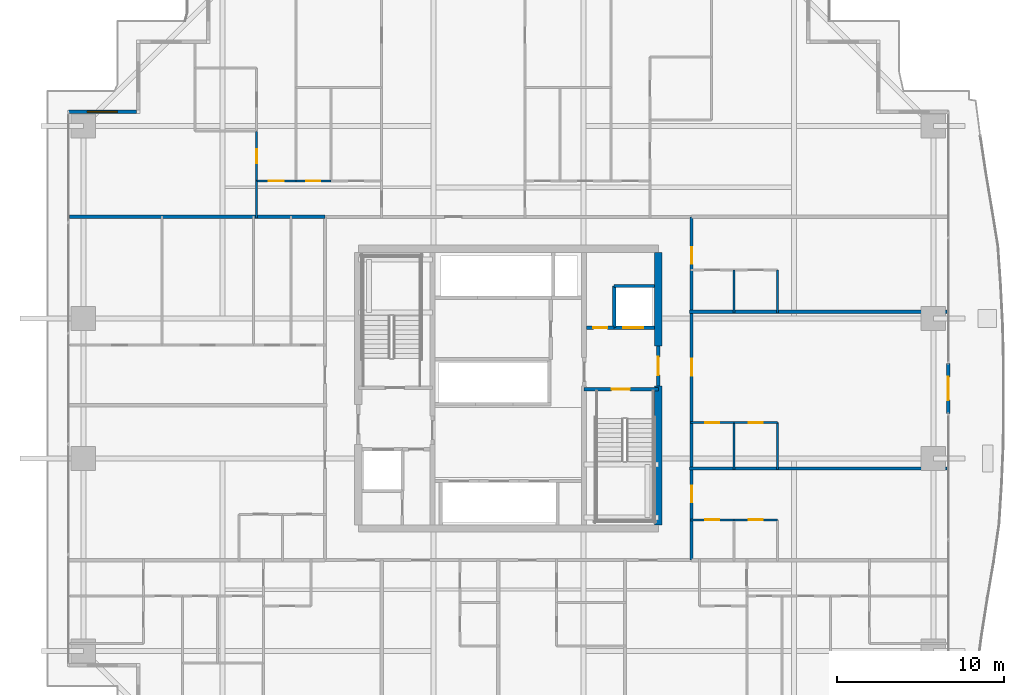
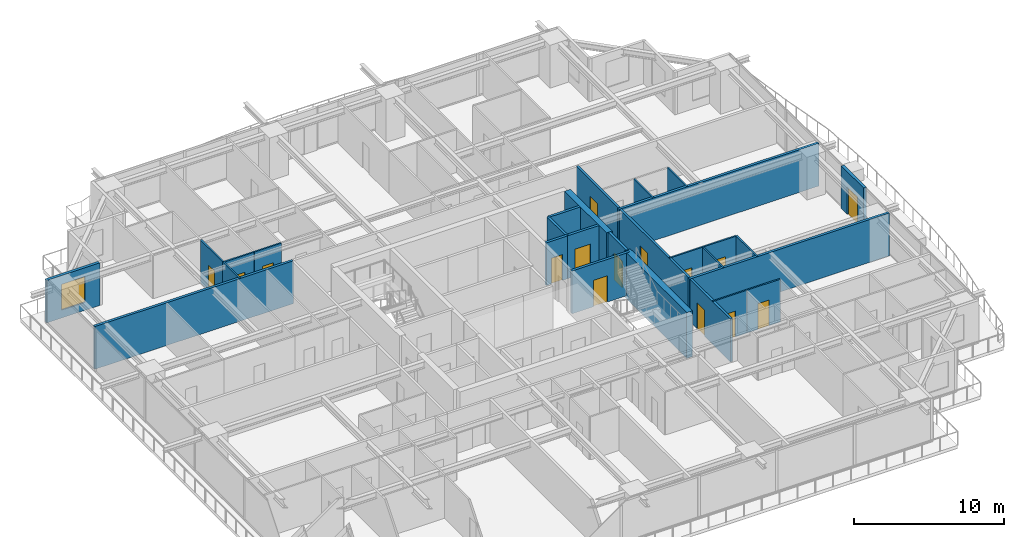
# One storey, part 30 of 38: 26 walls, 15 doors, 1 window, 16 openings.
"""IFC4 building model written with IfcOpenShell, lengths in metres."""

from ifc_helpers import new_model, si_unit, direction, frame, frame_2d, origin, place, context, subcontext, project, spatial, rectangle, extrude, source, transform, mapped, material, layer, layer_set, type_object, element, fill, save


model = new_model("IFC4")

# Units and contexts
model_context = context("Model", 3, precision=1e-05, world=origin(), true_north=direction((0.0, 1.0)))
body_context = subcontext(model_context, "Body", "Model", "MODEL_VIEW")
ifc_project = project(units=[si_unit("LENGTHUNIT", "METRE"), si_unit("AREAUNIT", "SQUARE_METRE"), si_unit("VOLUMEUNIT", "CUBIC_METRE"), si_unit("PLANEANGLEUNIT", "RADIAN"), si_unit("MASSUNIT", "GRAM", prefix="KILO")], contexts=[model_context])

# Site, building, storey
site_placement = place(None, origin())
site = spatial("IfcSite", under=ifc_project, at=site_placement, CompositionType="ELEMENT")
building_placement = place(site_placement, origin())
building = spatial("IfcBuilding", under=site, at=building_placement, Name="Serunith Strait Residences", CompositionType="ELEMENT")
storey_placement = place(building_placement, frame((0.0, 0.0, 67.949951171875)))
storey = spatial("IfcBuildingStorey", under=building, at=storey_placement, Name="L16", CompositionType="ELEMENT", Elevation=67.949951171875)

# Wall, opening, door
ifc_material_1 = material(Name="Pale-Champagne Aluminium Insulated Panel", Category="aluminium")
ifc_layer_1 = layer(ifc_material_1, 0.219970703125, Name="Pale-Champagne Aluminium Insulated Panel")
ifc_layer_set_1 = layer_set([ifc_layer_1], Name="Pale-Champagne Aluminium Insulated Panel")
wall_type_1 = type_object("IfcWallType", Name="EW-ALUM-220", PredefinedType="ELEMENTEDWALL", material=ifc_layer_set_1)
wall_1_placement = place(storey_placement, frame((58.800048828125, 23.699951171875, 0.0), z_axis=(0.0, 0.0, 1.0), x_axis=(0.0, 1.0, 0.0)))
wall_1 = element("IfcWall", 1, at=wall_1_placement, inside=storey, type_object=wall_type_1, Name="L16 E Facade Pier Wall", PredefinedType="ELEMENTEDWALL", context=body_context, shape_type="SweptSolid", body=[
    extrude(rectangle(XDim=3.0, YDim=0.219970703125, at=frame_2d((1.5, 0.0))), origin(), (0.0, 0.0, 1.0), 3.47509765625),
])
opening_1_placement = place(wall_1_placement, frame((0.800048828125, 0.0, 0.0)))
opening_1 = element("IfcOpeningElement", 2, at=opening_1_placement, cuts=wall_1, Name="Opening ED-04", PredefinedType="OPENING", context=body_context, shape_type="SweptSolid", body=[
    extrude(rectangle(XDim=1.39990234375, YDim=2.25, at=frame_2d((0.699951171875, 1.125))), frame((0.0, 0.1201171875, 0.0), z_axis=(0.0, -1.0, 0.0), x_axis=(1.0, 0.0, 0.0)), (0.0, 0.0, 1.0), 0.239990234375),
])
ifc_material_2 = material(Name="Thermally-Broken Aluminium Sliding Balcony Door", Category="aluminium")
door_type_1 = type_object("IfcDoorType", Name="ED-BALC-1400", OperationType="NOTDEFINED", PredefinedType="DOOR", material=ifc_material_2)
shared_shape_1 = source(origin(), body_context, "Body", "SweptSolid", [
    extrude(rectangle(XDim=1.39990234375, YDim=2.25, at=frame_2d((0.699951171875, 1.125))), frame((0.0, 0.02490234375, 0.0), z_axis=(0.0, -1.0, 0.0), x_axis=(1.0, 0.0, 0.0)), (0.0, 0.0, 1.0), 0.050048828125),
])
door_1_placement = place(opening_1_placement, origin())
door_1 = element("IfcDoor", 3, at=door_1_placement, inside=storey, type_object=door_type_1, Name="L16 E Vertical-Forest Balcony Door", OperationType="SLIDING_TO_LEFT", OverallHeight=2.25, OverallWidth=1.39990234375, PredefinedType="DOOR", context=body_context, shape_type="MappedRepresentation", body=[
    mapped(shared_shape_1, transform((0.0, 0.0, 0.0), scale=1.0)),
])
fill(opening_1, door_1)

# Wall, opening, window
wall_2_placement = place(storey_placement, frame((10.090087890625, 41.800048828125, 0.0), z_axis=(0.0, 0.0, 1.0), x_axis=(-1.0, 0.0, 0.0)))
wall_2 = element("IfcWall", 4, at=wall_2_placement, inside=storey, type_object=wall_type_1, Name="L16 Girih Serrated Corner Wall 15", PredefinedType="ELEMENTEDWALL", context=body_context, shape_type="SweptSolid", body=[
    extrude(rectangle(XDim=4.090087890625, YDim=0.219970703125, at=frame_2d((2.044921875, 0.0))), origin(), (0.0, 0.0, 1.0), 3.47509765625),
])
opening_2_placement = place(wall_2_placement, frame((1.14501953125, 0.0, 0.64990234375)))
opening_2 = element("IfcOpeningElement", 5, at=opening_2_placement, cuts=wall_2, Name="Opening W-01", PredefinedType="OPENING", context=body_context, shape_type="SweptSolid", body=[
    extrude(rectangle(XDim=1.800048828125, YDim=2.10009765625, at=frame_2d((0.89990234375, 1.050048828125))), frame((0.0, 0.1201171875, 0.0), z_axis=(0.0, -1.0, 0.0), x_axis=(1.0, 0.0, 0.0)), (0.0, 0.0, 1.0), 0.239990234375),
])
ifc_material_3 = material(Name="Ceramic-Fritted Operable Aluminium Window Glass", Category="aluminium")
window_type = type_object("IfcWindowType", Name="WIN-C1", PartitioningType="DOUBLE_PANEL_VERTICAL", PredefinedType="WINDOW", material=ifc_material_3)
shared_shape_2 = source(origin(), body_context, "Body", "SweptSolid", [
    extrude(rectangle(XDim=1.800048828125, YDim=2.10009765625, at=frame_2d((0.89990234375, 1.050048828125))), frame((0.0, 0.030029296875, 0.0), z_axis=(0.0, -1.0, 0.0), x_axis=(1.0, 0.0, 0.0)), (0.0, 0.0, 1.0), 0.06005859375),
])
window_placement = place(opening_2_placement, origin())
window = element("IfcWindow", 6, at=window_placement, inside=storey, type_object=window_type, Name="L16 Corner Operable Fritted Window 15", OverallHeight=2.10009765625, OverallWidth=1.800048828125, PartitioningType="SINGLE_PANEL", PredefinedType="WINDOW", context=body_context, shape_type="MappedRepresentation", body=[
    mapped(shared_shape_2, transform((0.0, 0.0, 0.0), scale=1.0)),
])
fill(opening_2, window)

# Wall, openings, doors
ifc_material_4 = material(Name="Fire-rated acoustic gypsum partition")
ifc_layer_2 = layer(ifc_material_4, 0.179931640625, Name="Fire-rated acoustic gypsum partition")
ifc_layer_set_2 = layer_set([ifc_layer_2], Name="Fire-rated acoustic gypsum partition")
wall_type_2 = type_object("IfcWallType", Name="IW-CORR-180", PredefinedType="PARTITIONING", material=ifc_layer_set_2)
wall_3_placement = place(storey_placement, frame((43.39990234375, 14.89990234375, 0.0), z_axis=(0.0, 0.0, 1.0), x_axis=(0.0, 1.0, 0.0)))
wall_3 = element("IfcWall", 7, at=wall_3_placement, inside=storey, type_object=wall_type_2, Name="L16 Partition Wall 027", PredefinedType="PARTITIONING", context=body_context, shape_type="SweptSolid", body=[
    extrude(rectangle(XDim=20.60009765625, YDim=0.179931640625, at=frame_2d((10.300048828125, 0.0))), origin(), (0.0, 0.0, 1.0), 3.489990234375),
])
opening_3_placement = place(wall_3_placement, frame((3.468994140625, 0.0, 0.0)))
opening_3 = element("IfcOpeningElement", 8, at=opening_3_placement, cuts=wall_3, Name="Opening D-APT1000", PredefinedType="OPENING", context=body_context, shape_type="SweptSolid", body=[
    extrude(rectangle(XDim=1.0, YDim=2.14990234375, at=frame_2d((0.5, 1.074951171875))), frame((0.0, 0.10009765625, 0.0), z_axis=(0.0, -1.0, 0.0), x_axis=(1.0, 0.0, 0.0)), (0.0, 0.0, 1.0), 0.199951171875),
])
opening_4_placement = place(wall_3_placement, frame((11.073974609375, 0.0, 0.0)))
opening_4 = element("IfcOpeningElement", 9, at=opening_4_placement, cuts=wall_3, Name="Opening D-APT1000", PredefinedType="OPENING", context=body_context, shape_type="SweptSolid", body=[
    extrude(rectangle(XDim=1.0, YDim=2.14990234375, at=frame_2d((0.5, 1.074951171875))), frame((0.0, 0.10009765625, 0.0), z_axis=(0.0, -1.0, 0.0), x_axis=(1.0, 0.0, 0.0)), (0.0, 0.0, 1.0), 0.199951171875),
])
opening_5_placement = place(wall_3_placement, frame((17.780029296875, 0.0, 0.0)))
opening_5 = element("IfcOpeningElement", 10, at=opening_5_placement, cuts=wall_3, Name="Opening D-APT1000", PredefinedType="OPENING", context=body_context, shape_type="SweptSolid", body=[
    extrude(rectangle(XDim=1.0, YDim=2.14990234375, at=frame_2d((0.5, 1.074951171875))), frame((0.0, 0.10009765625, 0.0), z_axis=(0.0, -1.0, 0.0), x_axis=(1.0, 0.0, 0.0)), (0.0, 0.0, 1.0), 0.199951171875),
])
ifc_material_5 = material(Name="Solid timber engineered fire door", Category="wood")
door_type_2 = type_object("IfcDoorType", Name="ID-APT-1000", OperationType="NOTDEFINED", PredefinedType="DOOR", material=ifc_material_5)
shared_shape_3 = source(origin(), body_context, "Body", "SweptSolid", [
    extrude(rectangle(XDim=1.0, YDim=2.14990234375, at=frame_2d((0.5, 1.074951171875))), frame((0.0, 0.02490234375, 0.0), z_axis=(0.0, -1.0, 0.0), x_axis=(1.0, 0.0, 0.0)), (0.0, 0.0, 1.0), 0.050048828125),
])
door_2_placement = place(opening_3_placement, origin())
door_2 = element("IfcDoor", 11, at=door_2_placement, inside=storey, type_object=door_type_2, Name="L16 Unit 08 Entrance Door", OperationType="SINGLE_SWING_LEFT", OverallHeight=2.14990234375, OverallWidth=1.0, PredefinedType="DOOR", context=body_context, shape_type="MappedRepresentation", body=[
    mapped(shared_shape_3, transform((0.0, 0.0, 0.0), scale=1.0)),
])
fill(opening_3, door_2)
door_3_placement = place(opening_4_placement, origin())
door_3 = element("IfcDoor", 12, at=door_3_placement, inside=storey, type_object=door_type_2, Name="L16 Unit 09 Entrance Door", OperationType="SINGLE_SWING_RIGHT", OverallHeight=2.14990234375, OverallWidth=1.0, PredefinedType="DOOR", context=body_context, shape_type="MappedRepresentation", body=[
    mapped(shared_shape_3, transform((0.0, 0.0, 0.0), scale=1.0)),
])
fill(opening_4, door_3)
door_4_placement = place(opening_5_placement, origin())
door_4 = element("IfcDoor", 13, at=door_4_placement, inside=storey, type_object=door_type_2, Name="L16 Unit 10 Entrance Door", OperationType="SINGLE_SWING_LEFT", OverallHeight=2.14990234375, OverallWidth=1.0, PredefinedType="DOOR", context=body_context, shape_type="MappedRepresentation", body=[
    mapped(shared_shape_3, transform((0.0, 0.0, 0.0), scale=1.0)),
])
fill(opening_5, door_4)

# Wall, opening, door
ifc_material_6 = material(Name="Lightweight steel-stud gypsum partition", Category="steel")
ifc_layer_3 = layer(ifc_material_6, 0.1201171875, Name="Lightweight steel-stud gypsum partition")
ifc_layer_set_3 = layer_set([ifc_layer_3], Name="Lightweight steel-stud gypsum partition")
wall_type_3 = type_object("IfcWallType", Name="IW-PART-120", PredefinedType="PARTITIONING", material=ifc_layer_set_3)
wall_4_placement = place(storey_placement, frame((19.64990234375, 37.64990234375, 0.0), z_axis=(0.0, 0.0, 1.0), x_axis=(1.0, 0.0, 0.0)))
wall_4 = element("IfcWall", 14, at=wall_4_placement, inside=storey, type_object=wall_type_3, Name="L16 Partition Wall 072", PredefinedType="PARTITIONING", context=body_context, shape_type="SweptSolid", body=[
    extrude(rectangle(XDim=2.10009765625, YDim=0.1201171875, at=frame_2d((1.050048828125, 0.0))), origin(), (0.0, 0.0, 1.0), 3.489990234375),
])
opening_6_placement = place(wall_4_placement, frame((0.625, 0.0, 0.0)))
opening_6 = element("IfcOpeningElement", 15, at=opening_6_placement, cuts=wall_4, Name="Opening D-BTH850", PredefinedType="OPENING", context=body_context, shape_type="SweptSolid", body=[
    extrude(rectangle(XDim=0.85009765625, YDim=2.10009765625, at=frame_2d((0.425048828125, 1.050048828125))), frame((0.0, 0.070068359375, 0.0), z_axis=(0.0, -1.0, 0.0), x_axis=(1.0, 0.0, 0.0)), (0.0, 0.0, 1.0), 0.14013671875),
])
ifc_material_7 = material(Name="Moisture-resistant timber bathroom door", Category="wood")
door_type_3 = type_object("IfcDoorType", Name="ID-BATH-850", OperationType="NOTDEFINED", PredefinedType="DOOR", material=ifc_material_7)
shared_shape_4 = source(origin(), body_context, "Body", "SweptSolid", [
    extrude(rectangle(XDim=0.85009765625, YDim=2.10009765625, at=frame_2d((0.425048828125, 1.050048828125))), frame((0.0, 0.02490234375, 0.0), z_axis=(0.0, -1.0, 0.0), x_axis=(1.0, 0.0, 0.0)), (0.0, 0.0, 1.0), 0.050048828125),
])
door_5_placement = place(opening_6_placement, origin())
door_5 = element("IfcDoor", 16, at=door_5_placement, inside=storey, type_object=door_type_3, Name="L16 Bathroom 1605 Door", OperationType="SINGLE_SWING_RIGHT", OverallHeight=2.10009765625, OverallWidth=0.85009765625, PredefinedType="DOOR", context=body_context, shape_type="MappedRepresentation", body=[
    mapped(shared_shape_4, transform((0.0, 0.0, 0.0), scale=1.0)),
])
fill(opening_6, door_5)

wall_5_placement = place(storey_placement, frame((17.300048828125, 37.64990234375, 0.0), z_axis=(0.0, 0.0, 1.0), x_axis=(1.0, 0.0, 0.0)))
wall_5 = element("IfcWall", 17, at=wall_5_placement, inside=storey, type_object=wall_type_3, Name="L16 Partition Wall 074", PredefinedType="PARTITIONING", context=body_context, shape_type="SweptSolid", body=[
    extrude(rectangle(XDim=2.347900390625, YDim=0.1201171875, at=frame_2d((1.173828125, 0.0))), origin(), (0.0, 0.0, 1.0), 3.489990234375),
])
opening_7_placement = place(wall_5_placement, frame((0.72412109375, 0.0, 0.0)))
opening_7 = element("IfcOpeningElement", 18, at=opening_7_placement, cuts=wall_5, Name="Opening D-RM900", PredefinedType="OPENING", context=body_context, shape_type="SweptSolid", body=[
    extrude(rectangle(XDim=0.89990234375, YDim=2.10009765625, at=frame_2d((0.449951171875, 1.050048828125))), frame((0.0, 0.070068359375, 0.0), z_axis=(0.0, -1.0, 0.0), x_axis=(1.0, 0.0, 0.0)), (0.0, 0.0, 1.0), 0.14013671875),
])
ifc_material_8 = material(Name="Engineered timber flush bedroom door", Category="wood")
door_type_4 = type_object("IfcDoorType", Name="ID-ROOM-900", OperationType="NOTDEFINED", PredefinedType="DOOR", material=ifc_material_8)
shared_shape_5 = source(origin(), body_context, "Body", "SweptSolid", [
    extrude(rectangle(XDim=0.89990234375, YDim=2.10009765625, at=frame_2d((0.449951171875, 1.050048828125))), frame((0.0, 0.02490234375, 0.0), z_axis=(0.0, -1.0, 0.0), x_axis=(1.0, 0.0, 0.0)), (0.0, 0.0, 1.0), 0.050048828125),
])
door_6_placement = place(opening_7_placement, origin())
door_6 = element("IfcDoor", 19, at=door_6_placement, inside=storey, type_object=door_type_4, Name="L16 Master Bedroom W 1605 Door", OperationType="SINGLE_SWING_RIGHT", OverallHeight=2.10009765625, OverallWidth=0.89990234375, PredefinedType="DOOR", context=body_context, shape_type="MappedRepresentation", body=[
    mapped(shared_shape_5, transform((0.0, 0.0, 0.0), scale=1.0)),
])
fill(opening_7, door_6)

wall_6_placement = place(storey_placement, frame((17.300048828125, 40.635986328125, 0.0), z_axis=(0.0, 0.0, 1.0), x_axis=(0.0, -1.0, 0.0)))
wall_6 = element("IfcWall", 20, at=wall_6_placement, inside=storey, type_object=wall_type_3, Name="L16 Partition Wall 079", PredefinedType="PARTITIONING", context=body_context, shape_type="SweptSolid", body=[
    extrude(rectangle(XDim=2.986083984375, YDim=0.1201171875, at=frame_2d((1.4931640625, 0.0))), origin(), (0.0, 0.0, 1.0), 3.489990234375),
])
opening_8_placement = place(wall_6_placement, frame((1.068115234375, 0.0, 0.0)))
opening_8 = element("IfcOpeningElement", 21, at=opening_8_placement, cuts=wall_6, Name="Opening D-RM850", PredefinedType="OPENING", context=body_context, shape_type="SweptSolid", body=[
    extrude(rectangle(XDim=0.85009765625, YDim=2.10009765625, at=frame_2d((0.425048828125, 1.050048828125))), frame((0.0, 0.070068359375, 0.0), z_axis=(0.0, -1.0, 0.0), x_axis=(1.0, 0.0, 0.0)), (0.0, 0.0, 1.0), 0.14013671875),
])
ifc_material_9 = material(Name="Engineered timber flush study and kitchen door", Category="wood")
door_type_5 = type_object("IfcDoorType", Name="ID-ROOM-850", OperationType="NOTDEFINED", PredefinedType="DOOR", material=ifc_material_9)
door_7_placement = place(opening_8_placement, origin())
door_7 = element("IfcDoor", 22, at=door_7_placement, inside=storey, type_object=door_type_5, Name="L16 Wardrobe W 1605 Door", OperationType="SINGLE_SWING_RIGHT", OverallHeight=2.10009765625, OverallWidth=0.85009765625, PredefinedType="DOOR", context=body_context, shape_type="MappedRepresentation", body=[
    mapped(shared_shape_4, transform((0.0, 0.0, 0.0), scale=1.0)),
])
fill(opening_8, door_7)

# Wall
wall_7_placement = place(storey_placement, frame((17.300048828125, 37.64794921875, 0.0), z_axis=(0.0, 0.0, 1.0), x_axis=(0.0, -1.0, 0.0)))
element("IfcWall", 23, at=wall_7_placement, inside=storey, type_object=wall_type_3, Name="L16 Partition Wall 080", PredefinedType="PARTITIONING", context=body_context, shape_type="SweptSolid", body=[
    extrude(rectangle(XDim=2.2080078125, YDim=0.1201171875, at=frame_2d((1.10400390625, 0.0))), origin(), (0.0, 0.0, 1.0), 3.489990234375),
])

# Wall, opening, door
wall_8_placement = place(storey_placement, frame((48.550048828125, 17.320068359375, 0.0), z_axis=(0.0, 0.0, 1.0), x_axis=(-1.0, 0.0, 0.0)))
wall_8 = element("IfcWall", 24, at=wall_8_placement, inside=storey, type_object=wall_type_3, Name="L16 Partition Wall 107", PredefinedType="PARTITIONING", context=body_context, shape_type="SweptSolid", body=[
    extrude(rectangle(XDim=2.60009765625, YDim=0.1201171875, at=frame_2d((1.300048828125, 0.0))), origin(), (0.0, 0.0, 1.0), 3.489990234375),
])
opening_9_placement = place(wall_8_placement, frame((0.875, 0.0, 0.0)))
opening_9 = element("IfcOpeningElement", 25, at=opening_9_placement, cuts=wall_8, Name="Opening D-RM850", PredefinedType="OPENING", context=body_context, shape_type="SweptSolid", body=[
    extrude(rectangle(XDim=0.85009765625, YDim=2.10009765625, at=frame_2d((0.425048828125, 1.050048828125))), frame((0.0, 0.070068359375, 0.0), z_axis=(0.0, -1.0, 0.0), x_axis=(1.0, 0.0, 0.0)), (0.0, 0.0, 1.0), 0.14013671875),
])
door_8_placement = place(opening_9_placement, origin())
door_8 = element("IfcDoor", 26, at=door_8_placement, inside=storey, type_object=door_type_5, Name="L16 Kitchen 1608 Door", OperationType="SINGLE_SWING_RIGHT", OverallHeight=2.10009765625, OverallWidth=0.85009765625, PredefinedType="DOOR", context=body_context, shape_type="MappedRepresentation", body=[
    mapped(shared_shape_4, transform((0.0, 0.0, 0.0), scale=1.0)),
])
fill(opening_9, door_8)

wall_9_placement = place(storey_placement, frame((45.947998046875, 17.320068359375, 0.0), z_axis=(0.0, 0.0, 1.0), x_axis=(-1.0, 0.0, 0.0)))
wall_9 = element("IfcWall", 27, at=wall_9_placement, inside=storey, type_object=wall_type_3, Name="L16 Partition Wall 108", PredefinedType="PARTITIONING", context=body_context, shape_type="SweptSolid", body=[
    extrude(rectangle(XDim=2.60791015625, YDim=0.1201171875, at=frame_2d((1.303955078125, 0.0))), origin(), (0.0, 0.0, 1.0), 3.489990234375),
])
opening_10_placement = place(wall_9_placement, frame((0.87890625, 0.0, 0.0)))
opening_10 = element("IfcOpeningElement", 28, at=opening_10_placement, cuts=wall_9, Name="Opening D-BTH850", PredefinedType="OPENING", context=body_context, shape_type="SweptSolid", body=[
    extrude(rectangle(XDim=0.85009765625, YDim=2.10009765625, at=frame_2d((0.425048828125, 1.050048828125))), frame((0.0, 0.070068359375, 0.0), z_axis=(0.0, -1.0, 0.0), x_axis=(1.0, 0.0, 0.0)), (0.0, 0.0, 1.0), 0.14013671875),
])
door_9_placement = place(opening_10_placement, origin())
door_9 = element("IfcDoor", 29, at=door_9_placement, inside=storey, type_object=door_type_3, Name="L16 Bathroom 1608 Door", OperationType="SINGLE_SWING_LEFT", OverallHeight=2.10009765625, OverallWidth=0.85009765625, PredefinedType="DOOR", context=body_context, shape_type="MappedRepresentation", body=[
    mapped(shared_shape_4, transform((0.0, 0.0, 0.0), scale=1.0)),
])
fill(opening_10, door_9)

wall_10_placement = place(storey_placement, frame((48.550048828125, 23.14990234375, 0.0), z_axis=(0.0, 0.0, 1.0), x_axis=(-1.0, 0.0, 0.0)))
wall_10 = element("IfcWall", 30, at=wall_10_placement, inside=storey, type_object=wall_type_3, Name="L16 Partition Wall 111", PredefinedType="PARTITIONING", context=body_context, shape_type="SweptSolid", body=[
    extrude(rectangle(XDim=2.60009765625, YDim=0.1201171875, at=frame_2d((1.300048828125, 0.0))), origin(), (0.0, 0.0, 1.0), 3.489990234375),
])
opening_11_placement = place(wall_10_placement, frame((0.875, 0.0, 0.0)))
opening_11 = element("IfcOpeningElement", 31, at=opening_11_placement, cuts=wall_10, Name="Opening D-RM850", PredefinedType="OPENING", context=body_context, shape_type="SweptSolid", body=[
    extrude(rectangle(XDim=0.85009765625, YDim=2.10009765625, at=frame_2d((0.425048828125, 1.050048828125))), frame((0.0, 0.070068359375, 0.0), z_axis=(0.0, -1.0, 0.0), x_axis=(1.0, 0.0, 0.0)), (0.0, 0.0, 1.0), 0.14013671875),
])
door_10_placement = place(opening_11_placement, origin())
door_10 = element("IfcDoor", 32, at=door_10_placement, inside=storey, type_object=door_type_5, Name="L16 Kitchen 1609 Door", OperationType="SINGLE_SWING_RIGHT", OverallHeight=2.10009765625, OverallWidth=0.85009765625, PredefinedType="DOOR", context=body_context, shape_type="MappedRepresentation", body=[
    mapped(shared_shape_4, transform((0.0, 0.0, 0.0), scale=1.0)),
])
fill(opening_11, door_10)

wall_11_placement = place(storey_placement, frame((45.947998046875, 23.14990234375, 0.0), z_axis=(0.0, 0.0, 1.0), x_axis=(-1.0, 0.0, 0.0)))
wall_11 = element("IfcWall", 33, at=wall_11_placement, inside=storey, type_object=wall_type_3, Name="L16 Partition Wall 112", PredefinedType="PARTITIONING", context=body_context, shape_type="SweptSolid", body=[
    extrude(rectangle(XDim=2.60791015625, YDim=0.1201171875, at=frame_2d((1.303955078125, 0.0))), origin(), (0.0, 0.0, 1.0), 3.489990234375),
])
opening_12_placement = place(wall_11_placement, frame((0.87890625, 0.0, 0.0)))
opening_12 = element("IfcOpeningElement", 34, at=opening_12_placement, cuts=wall_11, Name="Opening D-BTH850", PredefinedType="OPENING", context=body_context, shape_type="SweptSolid", body=[
    extrude(rectangle(XDim=0.85009765625, YDim=2.10009765625, at=frame_2d((0.425048828125, 1.050048828125))), frame((0.0, 0.070068359375, 0.0), z_axis=(0.0, -1.0, 0.0), x_axis=(1.0, 0.0, 0.0)), (0.0, 0.0, 1.0), 0.14013671875),
])
door_11_placement = place(opening_12_placement, origin())
door_11 = element("IfcDoor", 35, at=door_11_placement, inside=storey, type_object=door_type_3, Name="L16 Bathroom 1609 Door", OperationType="SINGLE_SWING_LEFT", OverallHeight=2.10009765625, OverallWidth=0.85009765625, PredefinedType="DOOR", context=body_context, shape_type="MappedRepresentation", body=[
    mapped(shared_shape_4, transform((0.0, 0.0, 0.0), scale=1.0)),
])
fill(opening_12, door_11)

# Walls
for number, where, z_axis, x_axis, name in (
    (36, (45.949951171875, 20.340087890625, 0.0), (0.0, 0.0, 1.0), (0.0, 1.0, 0.0), "L16 Partition Wall 113"),
    (37, (48.550048828125, 20.340087890625, 0.0), (0.0, 0.0, 1.0), (0.0, 1.0, 0.0), "L16 Partition Wall 114"),
):
    element("IfcWall", number, at=place(storey_placement, frame(where, z_axis=z_axis, x_axis=x_axis)), inside=storey, type_object=wall_type_3, Name=name, PredefinedType="PARTITIONING", context=body_context, shape_type="SweptSolid", body=[
        extrude(rectangle(XDim=2.809814453125, YDim=0.1201171875, at=frame_2d((1.40478515625, 0.0))), origin(), (0.0, 0.0, 1.0), 3.489990234375),
    ])
for number, where, z_axis, x_axis, name in (
    (38, (45.949951171875, 29.739990234375, 0.0), (0.0, 0.0, 1.0), (0.0, 1.0, 0.0), "L16 Partition Wall 117"),
    (39, (48.550048828125, 29.739990234375, 0.0), (0.0, 0.0, 1.0), (0.0, 1.0, 0.0), "L16 Partition Wall 118"),
):
    element("IfcWall", number, at=place(storey_placement, frame(where, z_axis=z_axis, x_axis=x_axis)), inside=storey, type_object=wall_type_3, Name=name, PredefinedType="PARTITIONING", context=body_context, shape_type="SweptSolid", body=[
        extrude(rectangle(XDim=2.570068359375, YDim=0.1201171875, at=frame_2d((1.28515625, 0.0))), origin(), (0.0, 0.0, 1.0), 3.489990234375),
    ])
ifc_material_10 = material(Name="Twin-stud acoustic gypsum board partition")
ifc_layer_4 = layer(ifc_material_10, 0.199951171875, Name="Twin-stud acoustic gypsum board partition")
ifc_layer_set_4 = layer_set([ifc_layer_4], Name="Twin-stud acoustic gypsum board partition")
wall_type_4 = type_object("IfcWallType", Name="IW-PARTY-200", PredefinedType="PARTITIONING", material=ifc_layer_set_4)
for number, where, z_axis, x_axis, name in (
    (40, (43.280029296875, 20.39990234375, 0.0), (0.0, 0.0, 1.0), (1.0, 0.0, 0.0), "L16 Partition Wall 018"),
    (41, (43.280029296875, 29.800048828125, 0.0), (0.0, 0.0, 1.0), (1.0, 0.0, 0.0), "L16 Partition Wall 019"),
):
    element("IfcWall", number, at=place(storey_placement, frame(where, z_axis=z_axis, x_axis=x_axis)), inside=storey, type_object=wall_type_4, Name=name, PredefinedType="PARTITIONING", context=body_context, shape_type="SweptSolid", body=[
        extrude(rectangle(XDim=15.43798828125, YDim=0.199951171875, at=frame_2d((7.718994140625, 0.0))), origin(), (0.0, 0.0, 1.0), 3.489990234375),
    ])
wall_12_placement = place(storey_placement, frame((6.08203125, 35.5, 0.0), z_axis=(0.0, 0.0, 1.0), x_axis=(1.0, 0.0, 0.0)))
element("IfcWall", 42, at=wall_12_placement, inside=storey, type_object=wall_type_4, Name="L16 Partition Wall 022", PredefinedType="PARTITIONING", context=body_context, shape_type="SweptSolid", body=[
    extrude(rectangle(XDim=15.31787109375, YDim=0.199951171875, at=frame_2d((7.658935546875, 0.0))), origin(), (0.0, 0.0, 1.0), 3.489990234375),
])

# Wall, opening, door
ifc_material_11 = material(Name="Autoclaved aerated concrete blockwork", Category="masonry")
ifc_layer_5 = layer(ifc_material_11, 0.199951171875, Name="Autoclaved aerated concrete blockwork")
ifc_layer_set_5 = layer_set([ifc_layer_5], Name="Autoclaved aerated concrete blockwork")
wall_type_5 = type_object("IfcWallType", Name="IW-SHAFT-200", PredefinedType="STANDARD", material=ifc_layer_set_5)
wall_13_placement = place(storey_placement, frame((36.949951171875, 25.14990234375, 0.0), z_axis=(0.0, 0.0, 1.0), x_axis=(1.0, 0.0, 0.0)))
wall_13 = element("IfcWall", 43, at=wall_13_placement, inside=storey, type_object=wall_type_5, Name="L16 ST-2 North Shaft Wall", PredefinedType="STANDARD", context=body_context, shape_type="SweptSolid", body=[
    extrude(rectangle(XDim=4.449951171875, YDim=0.199951171875, at=frame_2d((2.22509765625, 0.0))), origin(), (0.0, 0.0, 1.0), 3.489990234375),
])
opening_13_placement = place(wall_13_placement, frame((1.64990234375, 0.0, 0.0)))
opening_13 = element("IfcOpeningElement", 44, at=opening_13_placement, cuts=wall_13, Name="Opening FD-1100", PredefinedType="OPENING", context=body_context, shape_type="SweptSolid", body=[
    extrude(rectangle(XDim=1.10009765625, YDim=2.14990234375, at=frame_2d((0.550048828125, 1.074951171875))), frame((0.0, 0.10986328125, 0.0), z_axis=(0.0, -1.0, 0.0), x_axis=(1.0, 0.0, 0.0)), (0.0, 0.0, 1.0), 0.219970703125),
])
ifc_material_12 = material(Name="Galvanised steel fire door leaf", Category="steel")
door_type_6 = type_object("IfcDoorType", Name="FD-STAIR-1100", OperationType="NOTDEFINED", PredefinedType="DOOR", material=ifc_material_12)
shared_shape_6 = source(origin(), body_context, "Body", "SweptSolid", [
    extrude(rectangle(XDim=1.10009765625, YDim=2.14990234375, at=frame_2d((0.550048828125, 1.074951171875))), frame((0.0, 0.02490234375, 0.0), z_axis=(0.0, -1.0, 0.0), x_axis=(1.0, 0.0, 0.0)), (0.0, 0.0, 1.0), 0.050048828125),
])
door_12_placement = place(opening_13_placement, origin())
door_12 = element("IfcDoor", 45, at=door_12_placement, inside=storey, type_object=door_type_6, Name="L16 ST-2 Escape Stair Door", OperationType="SINGLE_SWING_LEFT", OverallHeight=2.14990234375, OverallWidth=1.10009765625, PredefinedType="DOOR", context=body_context, shape_type="MappedRepresentation", body=[
    mapped(shared_shape_6, transform((0.0, 0.0, 0.0), scale=1.0)),
])
fill(opening_13, door_12)

wall_14_placement = place(storey_placement, frame((38.75, 28.85009765625, 0.0), z_axis=(0.0, 0.0, 1.0), x_axis=(1.0, 0.0, 0.0)))
wall_14 = element("IfcWall", 46, at=wall_14_placement, inside=storey, type_object=wall_type_5, Name="L16 FL-2 South Shaft Wall", PredefinedType="STANDARD", context=body_context, shape_type="SweptSolid", body=[
    extrude(rectangle(XDim=2.425048828125, YDim=0.199951171875, at=frame_2d((1.21240234375, 0.0))), origin(), (0.0, 0.0, 1.0), 3.489990234375),
])
opening_14_placement = place(wall_14_placement, frame((0.550048828125, 0.0, 0.0)))
opening_14 = element("IfcOpeningElement", 47, at=opening_14_placement, cuts=wall_14, Name="Opening LD-FF1200", PredefinedType="OPENING", context=body_context, shape_type="SweptSolid", body=[
    extrude(rectangle(XDim=1.199951171875, YDim=2.199951171875, at=frame_2d((0.60009765625, 1.10009765625))), frame((0.0, 0.10986328125, 0.0), z_axis=(0.0, -1.0, 0.0), x_axis=(1.0, 0.0, 0.0)), (0.0, 0.0, 1.0), 0.219970703125),
])
ifc_material_13 = material(Name="Brushed stainless steel landing door", Category="steel")
door_type_7 = type_object("IfcDoorType", Name="LD-FF-1200", OperationType="DOUBLE_DOOR_SLIDING", PredefinedType="DOOR", material=ifc_material_13)
shared_shape_7 = source(origin(), body_context, "Body", "SweptSolid", [
    extrude(rectangle(XDim=1.199951171875, YDim=2.199951171875, at=frame_2d((0.60009765625, 1.10009765625))), frame((0.0, 0.02490234375, 0.0), z_axis=(0.0, -1.0, 0.0), x_axis=(1.0, 0.0, 0.0)), (0.0, 0.0, 1.0), 0.050048828125),
])
door_13_placement = place(opening_14_placement, origin())
door_13 = element("IfcDoor", 48, at=door_13_placement, inside=storey, type_object=door_type_7, Name="L16 FL-2 Landing Door", OperationType="DOUBLE_DOOR_SLIDING", OverallHeight=2.199951171875, OverallWidth=1.199951171875, PredefinedType="DOOR", context=body_context, shape_type="MappedRepresentation", body=[
    mapped(shared_shape_7, transform((0.0, 0.0, 0.0), scale=1.0)),
])
fill(opening_14, door_13)

# Walls
wall_15_placement = place(storey_placement, frame((38.75, 28.85009765625, 0.0), z_axis=(0.0, 0.0, 1.0), x_axis=(0.0, 1.0, 0.0)))
element("IfcWall", 49, at=wall_15_placement, inside=storey, type_object=wall_type_5, Name="L16 Partition Wall 004", PredefinedType="STANDARD", context=body_context, shape_type="SweptSolid", body=[
    extrude(rectangle(XDim=2.5, YDim=0.199951171875, at=frame_2d((1.25, 0.0))), origin(), (0.0, 0.0, 1.0), 3.489990234375),
])
wall_16_placement = place(storey_placement, frame((38.75, 31.35009765625, 0.0), z_axis=(0.0, 0.0, 1.0), x_axis=(1.0, 0.0, 0.0)))
element("IfcWall", 50, at=wall_16_placement, inside=storey, type_object=wall_type_5, Name="L16 Partition Wall 005", PredefinedType="STANDARD", context=body_context, shape_type="SweptSolid", body=[
    extrude(rectangle(XDim=2.425048828125, YDim=0.199951171875, at=frame_2d((1.21240234375, 0.0))), origin(), (0.0, 0.0, 1.0), 3.489990234375),
])

# Wall, opening, door
wall_17_placement = place(storey_placement, frame((37.10009765625, 28.85009765625, 0.0), z_axis=(0.0, 0.0, 1.0), x_axis=(1.0, 0.0, 0.0)))
wall_17 = element("IfcWall", 51, at=wall_17_placement, inside=storey, type_object=wall_type_5, Name="L16 Partition Wall 006", PredefinedType="STANDARD", context=body_context, shape_type="SweptSolid", body=[
    extrude(rectangle(XDim=1.64794921875, YDim=0.199951171875, at=frame_2d((0.823974609375, 0.0))), origin(), (0.0, 0.0, 1.0), 3.489990234375),
])
opening_15_placement = place(wall_17_placement, frame((0.39892578125, 0.0, 0.0)))
opening_15 = element("IfcOpeningElement", 52, at=opening_15_placement, cuts=wall_17, Name="Opening FD-850", PredefinedType="OPENING", context=body_context, shape_type="SweptSolid", body=[
    extrude(rectangle(XDim=0.85009765625, YDim=2.10009765625, at=frame_2d((0.425048828125, 1.050048828125))), frame((0.0, 0.10986328125, 0.0), z_axis=(0.0, -1.0, 0.0), x_axis=(1.0, 0.0, 0.0)), (0.0, 0.0, 1.0), 0.219970703125),
])
ifc_material_14 = material(Name="Powder-coated steel service closet door", Category="steel")
door_type_8 = type_object("IfcDoorType", Name="FD-BOH-850", OperationType="NOTDEFINED", PredefinedType="DOOR", material=ifc_material_14)
door_14_placement = place(opening_15_placement, origin())
door_14 = element("IfcDoor", 53, at=door_14_placement, inside=storey, type_object=door_type_8, Name="L16 North-East Core Service Door", OperationType="SINGLE_SWING_LEFT", OverallHeight=2.10009765625, OverallWidth=0.85009765625, PredefinedType="DOOR", context=body_context, shape_type="MappedRepresentation", body=[
    mapped(shared_shape_4, transform((0.0, 0.0, 0.0), scale=1.0)),
])
fill(opening_15, door_14)

wall_18_placement = place(storey_placement, frame((41.39990234375, 25.35205078125, 0.0), z_axis=(0.0, 0.0, 1.0), x_axis=(0.0, 1.0, 0.0)))
wall_18 = element("IfcWall", 54, at=wall_18_placement, inside=storey, type_object=wall_type_5, Name="L16 Partition Wall 008", PredefinedType="STANDARD", context=body_context, shape_type="SweptSolid", body=[
    extrude(rectangle(XDim=2.39599609375, YDim=0.199951171875, at=frame_2d((1.197998046875, 0.0))), origin(), (0.0, 0.0, 1.0), 3.489990234375),
])
opening_16_placement = place(wall_18_placement, frame((0.64794921875, 0.0, 0.0)))
opening_16 = element("IfcOpeningElement", 55, at=opening_16_placement, cuts=wall_18, Name="Opening FD-FFL", PredefinedType="OPENING", context=body_context, shape_type="SweptSolid", body=[
    extrude(rectangle(XDim=1.10009765625, YDim=2.14990234375, at=frame_2d((0.550048828125, 1.074951171875))), frame((0.0, 0.10986328125, 0.0), z_axis=(0.0, -1.0, 0.0), x_axis=(1.0, 0.0, 0.0)), (0.0, 0.0, 1.0), 0.219970703125),
])
ifc_material_15 = material(Name="Glazed steel smoke-lobby fire door", Category="steel")
door_type_9 = type_object("IfcDoorType", Name="FD-FFL-1100", OperationType="NOTDEFINED", PredefinedType="DOOR", material=ifc_material_15)
door_15_placement = place(opening_16_placement, origin())
door_15 = element("IfcDoor", 56, at=door_15_placement, inside=storey, type_object=door_type_9, Name="L16 FFL-2 Corridor Fire Door", OperationType="SINGLE_SWING_LEFT", OverallHeight=2.14990234375, OverallWidth=1.10009765625, PredefinedType="DOOR", context=body_context, shape_type="MappedRepresentation", body=[
    mapped(shared_shape_6, transform((0.0, 0.0, 0.0), scale=1.0)),
])
fill(opening_16, door_15)

# Walls
ifc_material_16 = material(Name="Concrete C80/95", Category="concrete")
ifc_layer_6 = layer(ifc_material_16, 0.449951171875, Name="Concrete C80/95")
ifc_layer_set_6 = layer_set([ifc_layer_6], Name="Concrete C80/95")
wall_type_6 = type_object("IfcWallType", Name="SW-450-C80", PredefinedType="SHEAR", material=ifc_layer_set_6)
wall_19_placement = place(storey_placement, frame((41.39990234375, 17.02490234375, -0.260009765625), z_axis=(0.0, 0.0, 1.0), x_axis=(0.0, 1.0, 0.0)))
element("IfcWall", 57, at=wall_19_placement, inside=storey, type_object=wall_type_6, Name="L16 Core East Shear Wall South Pier", PredefinedType="SHEAR", context=body_context, shape_type="SweptSolid", body=[
    extrude(rectangle(XDim=8.3251953125, YDim=0.449951171875, at=frame_2d((4.16259765625, 0.0))), origin(), (0.0, 0.0, 1.0), 3.748046875),
])
wall_20_placement = place(storey_placement, frame((41.39990234375, 27.75, -0.260009765625), z_axis=(0.0, 0.0, 1.0), x_axis=(0.0, 1.0, 0.0)))
element("IfcWall", 58, at=wall_20_placement, inside=storey, type_object=wall_type_6, Name="L16 Core East Shear Wall North Pier", PredefinedType="SHEAR", context=body_context, shape_type="SweptSolid", body=[
    extrude(rectangle(XDim=5.625, YDim=0.449951171875, at=frame_2d((2.8125, 0.0))), origin(), (0.0, 0.0, 1.0), 3.748046875),
])

save(model, "model.ifc")
